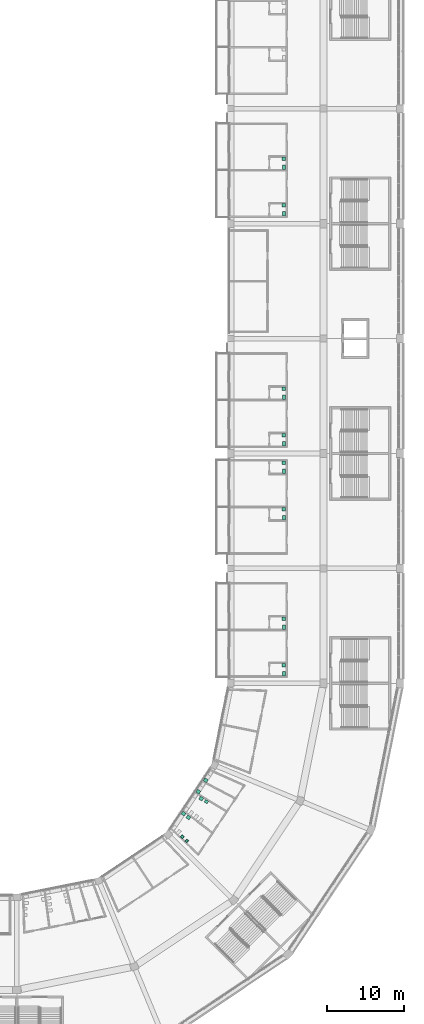
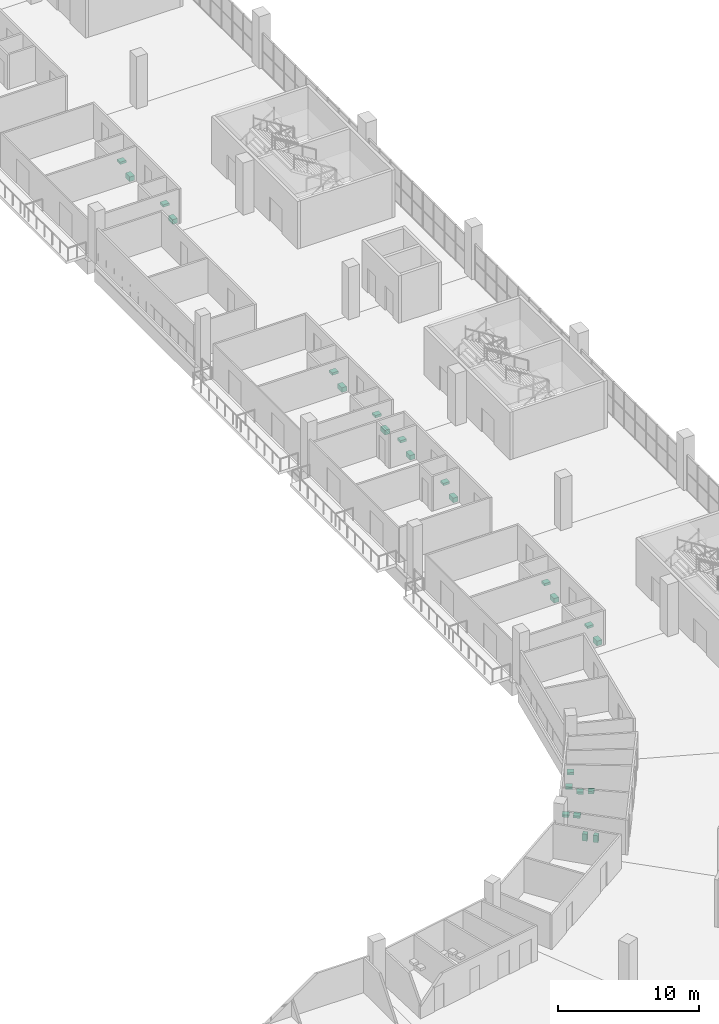
# One storey, part 197 of 199: 24 sanitary terminals.
"""IFC4 building model written with IfcOpenShell, lengths in metres."""

from ifc_helpers import new_model, si_unit, direction, frame, origin, origin_2d, place, context, subcontext, project, spatial, rectangle, extrude, material, type_object, element, save


model = new_model("IFC4")

# Units and contexts
model_context = context("Model", 3, precision=1e-05, world=origin(), true_north=direction((0.0, 1.0)))
body_context = subcontext(model_context, "Body", "Model", "MODEL_VIEW")
ifc_project = project(units=[si_unit("LENGTHUNIT", "METRE"), si_unit("AREAUNIT", "SQUARE_METRE"), si_unit("VOLUMEUNIT", "CUBIC_METRE"), si_unit("PLANEANGLEUNIT", "RADIAN"), si_unit("MASSUNIT", "GRAM", prefix="KILO")], contexts=[model_context])

# Site, building, storey
site_placement = place(None, origin())
site = spatial("IfcSite", under=ifc_project, at=site_placement, CompositionType="ELEMENT")
building_placement = place(site_placement, origin())
building = spatial("IfcBuilding", under=site, at=building_placement, Name="Ogive Plaza Stadium", CompositionType="ELEMENT")
storey_placement = place(building_placement, frame((0.0, 0.0, 9.0)))
storey = spatial("IfcBuildingStorey", under=building, at=storey_placement, Name="L02", CompositionType="ELEMENT", Elevation=9.0)

# Sanitary terminals
ifc_material_1 = material(Name="Vitreous china", Category="ceramic")
sanitary_terminal_type_1 = type_object("IfcSanitaryTerminalType", Name="Drinking fountain", PredefinedType="SANITARYFOUNTAIN", material=ifc_material_1)
sanitary_terminal_placement = place(storey_placement, frame((58.716796875, -67.927978515625, 0.7998046875), z_axis=(0.0, 0.0, 1.0), x_axis=(0.851921669732, -0.523669235912, 0.0)))
element("IfcSanitaryTerminal", 1, at=sanitary_terminal_placement, inside=storey, type_object=sanitary_terminal_type_1, Name="Drinking fountain L02-042", PredefinedType="SANITARYFOUNTAIN", context=body_context, shape_type="SweptSolid", body=[
    extrude(rectangle(XDim=0.449951171875, YDim=0.39990234375, at=origin_2d()), origin(), (0.0, 0.0, 1.0), 0.199951171875),
])
ifc_material_2 = material(Name="Vitreous china", Category="ceramic")
sanitary_terminal_type_2 = type_object("IfcSanitaryTerminalType", Name="Lavatory", PredefinedType="WASHHANDBASIN", material=ifc_material_2)
for number, where, z_axis, x_axis, name in (
    (2, (55.743408203125, -69.503662109375, 0.7998046875), (0.0, 0.0, 1.0), (0.792729242923, -0.609573906442, 0.0), "Lavatory L02-041"),
    (3, (56.377685546875, -69.9912109375, 0.7998046875), (0.0, 0.0, 1.0), (0.792729242923, -0.609573906442, 0.0), "Lavatory L02-041"),
    (4, (58.04345703125, -67.54345703125, 0.7998046875), (0.0, 0.0, 1.0), (0.851921669732, -0.523669235912, 0.0), "Lavatory L02-042"),
    (5, (68.824951171875, 9.875, 0.7998046875), (0.0, 0.0, 1.0), (-1.0, 0.0, 0.0), "Lavatory L02-015"),
    (6, (68.824951171875, 15.949951171875, 0.7998046875), (0.0, 0.0, 1.0), (-1.0, 0.0, 0.0), "Lavatory L02-017"),
    (7, (68.824951171875, -20.125, 0.7998046875), (0.0, 0.0, 1.0), (-1.0, 0.0, 0.0), "Lavatory L02-023"),
    (8, (68.824951171875, -14.050048828125, 0.7998046875), (0.0, 0.0, 1.0), (-1.0, 0.0, 0.0), "Lavatory L02-025"),
    (9, (68.824951171875, -23.699951171875, 0.7998046875), (0.0, 0.0, 1.0), (-1.0, 0.0, 0.0), "Lavatory L02-029"),
    (10, (68.824951171875, -29.77490234375, 0.7998046875), (0.0, 0.0, 1.0), (-1.0, 0.0, 0.0), "Lavatory L02-031"),
    (11, (68.824951171875, -50.125, 0.7998046875), (0.0, 0.0, 1.0), (-1.0, 0.0, 0.0), "Lavatory L02-035"),
    (12, (68.824951171875, -44.050048828125, 0.7998046875), (0.0, 0.0, 1.0), (-1.0, 0.0, 0.0), "Lavatory L02-037"),
    (13, (57.674072265625, -66.62451171875, 0.7998046875), (0.0, 0.0, 1.0), (0.854558554894, -0.519355057987, 0.0), "Lavatory L02-043"),
    (14, (58.64013671875, -65.150390625, 0.7998046875), (0.0, 0.0, 1.0), (0.885867776086, -0.463937801102, 0.0), "Lavatory L02-044"),
):
    element("IfcSanitaryTerminal", number, at=place(storey_placement, frame(where, z_axis=z_axis, x_axis=x_axis)), inside=storey, type_object=sanitary_terminal_type_2, Name=name, PredefinedType="WASHHANDBASIN", context=body_context, shape_type="SweptSolid", body=[
        extrude(rectangle(XDim=0.5, YDim=0.449951171875, at=origin_2d()), origin(), (0.0, 0.0, 1.0), 0.199951171875),
    ])
ifc_material_3 = material(Name="Vitreous china", Category="ceramic")
sanitary_terminal_type_3 = type_object("IfcSanitaryTerminalType", Name="Urinal", PredefinedType="URINAL", material=ifc_material_3)
for number, where, z_axis, x_axis, name in (
    (15, (55.588623046875, -72.515380859375, 0.599853515625), (0.0, 0.0, 1.0), (0.729268442245, -0.684227695395, 0.0), "Urinal L02-041"),
    (16, (56.172119140625, -73.062744140625, 0.599853515625), (0.0, 0.0, 1.0), (0.729268442245, -0.684227695395, 0.0), "Urinal L02-041"),
):
    element("IfcSanitaryTerminal", number, at=place(storey_placement, frame(where, z_axis=z_axis, x_axis=x_axis)), inside=storey, type_object=sanitary_terminal_type_3, Name=name, PredefinedType="URINAL", context=body_context, shape_type="SweptSolid", body=[
        extrude(rectangle(XDim=0.35009765625, YDim=0.35009765625, at=origin_2d()), origin(), (0.0, 0.0, 1.0), 0.60009765625),
    ])
ifc_material_4 = material(Name="Vitreous china", Category="ceramic")
sanitary_terminal_type_4 = type_object("IfcSanitaryTerminalType", Name="Water closet", PredefinedType="TOILETPAN", material=ifc_material_4)
for number, where, z_axis, x_axis, name in (
    (17, (68.875, 8.77490234375, 0.0), (0.0, 0.0, 1.0), (-1.0, 0.0, 0.0), "Water closet L02-015"),
    (18, (68.875, 14.85009765625, 0.0), (0.0, 0.0, 1.0), (-1.0, 0.0, 0.0), "Water closet L02-017"),
    (19, (68.875, -21.22509765625, 0.0), (0.0, 0.0, 1.0), (-1.0, 0.0, 0.0), "Water closet L02-023"),
    (20, (68.875, -15.14990234375, 0.0), (0.0, 0.0, 1.0), (-1.0, 0.0, 0.0), "Water closet L02-025"),
    (21, (68.875, -24.800048828125, 0.0), (0.0, 0.0, 1.0), (-1.0, 0.0, 0.0), "Water closet L02-029"),
    (22, (68.875, -30.875, 0.0), (0.0, 0.0, 1.0), (-1.0, 0.0, 0.0), "Water closet L02-031"),
    (23, (68.875, -51.22509765625, 0.0), (0.0, 0.0, 1.0), (-1.0, 0.0, 0.0), "Water closet L02-035"),
    (24, (68.875, -45.14990234375, 0.0), (0.0, 0.0, 1.0), (-1.0, 0.0, 0.0), "Water closet L02-037"),
):
    element("IfcSanitaryTerminal", number, at=place(storey_placement, frame(where, z_axis=z_axis, x_axis=x_axis)), inside=storey, type_object=sanitary_terminal_type_4, Name=name, PredefinedType="TOILETPAN", context=body_context, shape_type="SweptSolid", body=[
        extrude(rectangle(XDim=0.39990234375, YDim=0.60009765625, at=origin_2d()), origin(), (0.0, 0.0, 1.0), 0.39990234375),
    ])

save(model, "model.ifc")
